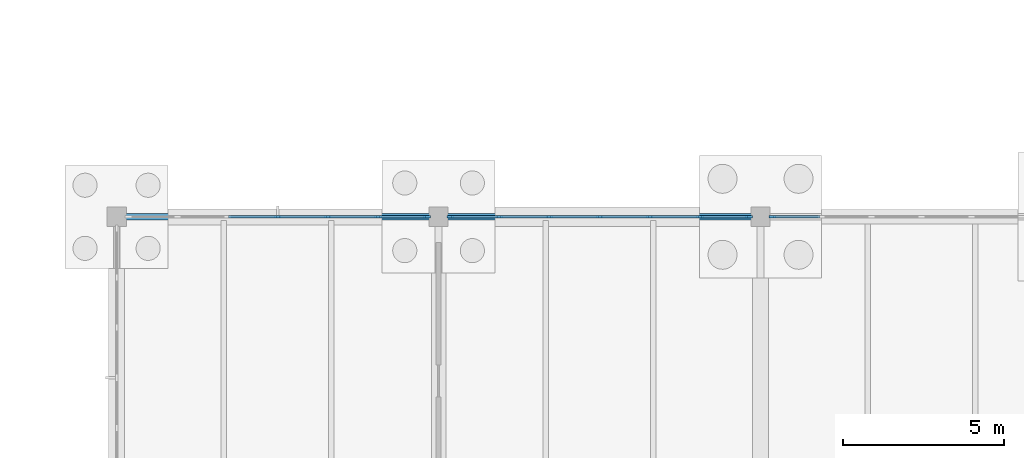
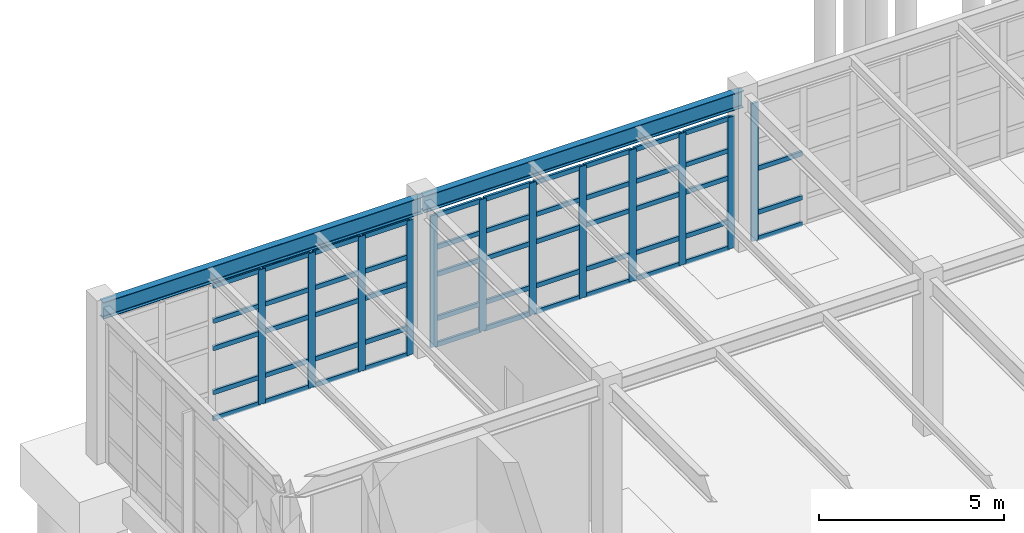
# One storey, part 48 of 145: 65 members, 2 beams, 3 elements without a shape of their own.
"""IFC4 building model written with IfcOpenShell, lengths in metres."""

from ifc_helpers import new_model, si_unit, direction, frame, origin, origin_2d, place, context, subcontext, project, spatial, rectangle, i_section, extrude, material, layer, layer_set, material_profile, profile_set, type_object, element, aggregate, save


model = new_model("IFC4")

# Units and contexts
model_context = context("Model", 3, precision=1e-05, world=origin(), true_north=direction((0.0, 1.0)))
body_context = subcontext(model_context, "Body", "Model", "MODEL_VIEW")
ifc_project = project(units=[si_unit("LENGTHUNIT", "METRE"), si_unit("AREAUNIT", "SQUARE_METRE"), si_unit("VOLUMEUNIT", "CUBIC_METRE"), si_unit("PLANEANGLEUNIT", "RADIAN"), si_unit("MASSUNIT", "GRAM", prefix="KILO"), si_unit("THERMODYNAMICTEMPERATUREUNIT", "KELVIN"), si_unit("POWERUNIT", "WATT")], contexts=[model_context])

# Site, building, storey
site_placement = place(None, origin())
site = spatial("IfcSite", under=ifc_project, at=site_placement, CompositionType="ELEMENT")
building_placement = place(site_placement, origin())
building = spatial("IfcBuilding", under=site, at=building_placement, Name="Korenveer Ferry Terminal", CompositionType="ELEMENT")
storey_placement = place(building_placement, origin())
storey = spatial("IfcBuildingStorey", under=building, at=storey_placement, Name="L00", CompositionType="ELEMENT", Elevation=0.0)

# Curtain wall, members
ifc_material_1 = material(Name="Unitised bronze-and-glass curtain wall", Category="glass")
ifc_layer_1 = layer(ifc_material_1, 0.219970703125)
ifc_layer_set_1 = layer_set([ifc_layer_1], Name="Unitised bronze-and-glass curtain wall")
curtain_wall_type_1 = type_object("IfcCurtainWallType", Name="ENV-CW-08", PredefinedType="USERDEFINED", material=ifc_layer_set_1)
curtain_wall_1_placement = place(storey_placement, frame((0.330078125, 80.0, 0.0)))
curtain_wall_1 = element("IfcCurtainWall", 1, at=curtain_wall_1_placement, inside=storey, type_object=curtain_wall_type_1, Name="Lancet curtain wall CWX-L00-X0-10-Y80-80", ObjectType="UNITISED CURTAIN WALL", PredefinedType="USERDEFINED")
ifc_material_2 = material(Name="Anodised bronze aluminium", Category="aluminium")
ifc_material_profile_1 = material_profile(ifc_material_2, rectangle(XDim=0.074951171875, YDim=0.219970703125, at=origin_2d()), Name="ALU 75x220")
ifc_profile_set_1 = profile_set([ifc_material_profile_1], Name="Anodised bronze aluminium")
member_type_1 = type_object("IfcMemberType", Name="ENV-CWM-75X220", PredefinedType="MULLION", material=ifc_profile_set_1)
member_1_placement = place(storey_placement, frame((5.0, 80.0, 0.0), z_axis=(0.0, 0.0, 1.0), x_axis=(0.0, 1.0, 0.0)))
member_1 = element("IfcMember", 2, at=member_1_placement, type_object=member_type_1, Name="CW-08 mullion 4", PredefinedType="MULLION", context=body_context, shape_type="SweptSolid", body=[
    extrude(rectangle(XDim=0.074951171875, YDim=0.219970703125, at=origin_2d()), origin(), (0.0, 0.0, 1.0), 4.43994140625),
])
member_2_placement = place(storey_placement, frame((6.556640625, 80.0, 0.0), z_axis=(0.0, 0.0, 1.0), x_axis=(0.0, 1.0, 0.0)))
member_2 = element("IfcMember", 3, at=member_2_placement, type_object=member_type_1, Name="CW-08 mullion 5", PredefinedType="MULLION", context=body_context, shape_type="SweptSolid", body=[
    extrude(rectangle(XDim=0.074951171875, YDim=0.219970703125, at=origin_2d()), origin(), (0.0, 0.0, 1.0), 4.43994140625),
])
member_3_placement = place(storey_placement, frame((8.11328125, 80.0, 0.0), z_axis=(0.0, 0.0, 1.0), x_axis=(0.0, 1.0, 0.0)))
member_3 = element("IfcMember", 4, at=member_3_placement, type_object=member_type_1, Name="CW-08 mullion 6", PredefinedType="MULLION", context=body_context, shape_type="SweptSolid", body=[
    extrude(rectangle(XDim=0.074951171875, YDim=0.219970703125, at=origin_2d()), origin(), (0.0, 0.0, 1.0), 4.43994140625),
])
member_4_placement = place(storey_placement, frame((9.632568359375, 80.0, 0.0), z_axis=(0.0, 0.0, 1.0), x_axis=(0.0, 1.0, 0.0)))
member_4 = element("IfcMember", 5, at=member_4_placement, type_object=member_type_1, Name="CW-08 mullion 7", PredefinedType="MULLION", context=body_context, shape_type="SweptSolid", body=[
    extrude(rectangle(XDim=0.074951171875, YDim=0.219970703125, at=origin_2d()), origin(), (0.0, 0.0, 1.0), 4.43994140625),
])

ifc_layer_2 = layer(ifc_material_1, 0.219970703125)
ifc_layer_set_2 = layer_set([ifc_layer_2], Name="Unitised bronze-and-glass curtain wall")
curtain_wall_type_2 = type_object("IfcCurtainWallType", Name="ENV-CW-09", PredefinedType="USERDEFINED", material=ifc_layer_set_2)
curtain_wall_2_placement = place(storey_placement, frame((10.330078125, 80.0, 0.0)))
curtain_wall_2 = element("IfcCurtainWall", 6, at=curtain_wall_2_placement, inside=storey, type_object=curtain_wall_type_2, Name="Lancet curtain wall CWX-L00-X10-20-Y80-80", ObjectType="UNITISED CURTAIN WALL", PredefinedType="USERDEFINED")
member_5_placement = place(storey_placement, frame((10.367431640625, 80.0, 0.0), z_axis=(0.0, 0.0, 1.0), x_axis=(0.0, 1.0, 0.0)))
member_5 = element("IfcMember", 7, at=member_5_placement, type_object=member_type_1, Name="CW-09 mullion 1", PredefinedType="MULLION", context=body_context, shape_type="SweptSolid", body=[
    extrude(rectangle(XDim=0.074951171875, YDim=0.219970703125, at=origin_2d()), origin(), (0.0, 0.0, 1.0), 4.340087890625),
])
member_6_placement = place(storey_placement, frame((11.88671875, 80.0, 0.0), z_axis=(0.0, 0.0, 1.0), x_axis=(0.0, 1.0, 0.0)))
member_6 = element("IfcMember", 8, at=member_6_placement, type_object=member_type_1, Name="CW-09 mullion 2", PredefinedType="MULLION", context=body_context, shape_type="SweptSolid", body=[
    extrude(rectangle(XDim=0.074951171875, YDim=0.219970703125, at=origin_2d()), origin(), (0.0, 0.0, 1.0), 4.340087890625),
])
member_7_placement = place(storey_placement, frame((13.443359375, 80.0, 0.0), z_axis=(0.0, 0.0, 1.0), x_axis=(0.0, 1.0, 0.0)))
member_7 = element("IfcMember", 9, at=member_7_placement, type_object=member_type_1, Name="CW-09 mullion 3", PredefinedType="MULLION", context=body_context, shape_type="SweptSolid", body=[
    extrude(rectangle(XDim=0.074951171875, YDim=0.219970703125, at=origin_2d()), origin(), (0.0, 0.0, 1.0), 4.340087890625),
])
member_8_placement = place(storey_placement, frame((15.0, 80.0, 0.0), z_axis=(0.0, 0.0, 1.0), x_axis=(0.0, 1.0, 0.0)))
member_8 = element("IfcMember", 10, at=member_8_placement, type_object=member_type_1, Name="CW-09 mullion 4", PredefinedType="MULLION", context=body_context, shape_type="SweptSolid", body=[
    extrude(rectangle(XDim=0.074951171875, YDim=0.219970703125, at=origin_2d()), origin(), (0.0, 0.0, 1.0), 4.340087890625),
])
member_9_placement = place(storey_placement, frame((16.556640625, 80.0, 0.0), z_axis=(0.0, 0.0, 1.0), x_axis=(0.0, 1.0, 0.0)))
member_9 = element("IfcMember", 11, at=member_9_placement, type_object=member_type_1, Name="CW-09 mullion 5", PredefinedType="MULLION", context=body_context, shape_type="SweptSolid", body=[
    extrude(rectangle(XDim=0.074951171875, YDim=0.219970703125, at=origin_2d()), origin(), (0.0, 0.0, 1.0), 4.340087890625),
])
member_10_placement = place(storey_placement, frame((18.11328125, 80.0, 0.0), z_axis=(0.0, 0.0, 1.0), x_axis=(0.0, 1.0, 0.0)))
member_10 = element("IfcMember", 12, at=member_10_placement, type_object=member_type_1, Name="CW-09 mullion 6", PredefinedType="MULLION", context=body_context, shape_type="SweptSolid", body=[
    extrude(rectangle(XDim=0.074951171875, YDim=0.219970703125, at=origin_2d()), origin(), (0.0, 0.0, 1.0), 4.340087890625),
])
member_11_placement = place(storey_placement, frame((19.632568359375, 80.0, 0.0), z_axis=(0.0, 0.0, 1.0), x_axis=(0.0, 1.0, 0.0)))
member_11 = element("IfcMember", 13, at=member_11_placement, type_object=member_type_1, Name="CW-09 mullion 7", PredefinedType="MULLION", context=body_context, shape_type="SweptSolid", body=[
    extrude(rectangle(XDim=0.074951171875, YDim=0.219970703125, at=origin_2d()), origin(), (0.0, 0.0, 1.0), 4.340087890625),
])

# Curtain wall, member
ifc_layer_3 = layer(ifc_material_1, 0.219970703125)
ifc_layer_set_3 = layer_set([ifc_layer_3], Name="Unitised bronze-and-glass curtain wall")
curtain_wall_type_3 = type_object("IfcCurtainWallType", Name="ENV-CW-10", PredefinedType="USERDEFINED", material=ifc_layer_set_3)
curtain_wall_3_placement = place(storey_placement, frame((20.330078125, 80.0, 0.0)))
curtain_wall_3 = element("IfcCurtainWall", 14, at=curtain_wall_3_placement, inside=storey, type_object=curtain_wall_type_3, Name="Lancet curtain wall CWX-L00-X20-30-Y80-80", ObjectType="UNITISED CURTAIN WALL", PredefinedType="USERDEFINED")
member_12_placement = place(storey_placement, frame((20.367431640625, 80.0, 0.0), z_axis=(0.0, 0.0, 1.0), x_axis=(0.0, 1.0, 0.0)))
member_12 = element("IfcMember", 15, at=member_12_placement, type_object=member_type_1, Name="CW-10 mullion 1", PredefinedType="MULLION", context=body_context, shape_type="SweptSolid", body=[
    extrude(rectangle(XDim=0.074951171875, YDim=0.219970703125, at=origin_2d()), origin(), (0.0, 0.0, 1.0), 4.5400390625),
])

# Member
ifc_material_profile_2 = material_profile(ifc_material_2, rectangle(XDim=0.074951171875, YDim=0.14990234375, at=origin_2d()), Name="ALU 75x150")
ifc_profile_set_2 = profile_set([ifc_material_profile_2], Name="Anodised bronze aluminium")
member_type_2 = type_object("IfcMemberType", Name="ENV-CWT-75X150", PredefinedType="USERDEFINED", material=ifc_profile_set_2)
member_13_placement = place(storey_placement, frame((3.480712890625, 80.0, 0.03759765625), z_axis=(1.0, 0.0, 0.0), x_axis=(0.0, 1.0, 0.0)))
member_13 = element("IfcMember", 16, at=member_13_placement, type_object=member_type_2, Name="CW-08 transom 3.1", ObjectType="TRANSOM", PredefinedType="USERDEFINED", context=body_context, shape_type="SweptSolid", body=[
    extrude(rectangle(XDim=0.074951171875, YDim=0.14990234375, at=origin_2d()), origin(), (0.0, 0.0, 1.0), 1.481689453125),
])

member_14_placement = place(storey_placement, frame((3.480712890625, 80.0, 0.89990234375), z_axis=(1.0, 0.0, 0.0), x_axis=(0.0, 1.0, 0.0)))
member_14 = element("IfcMember", 17, at=member_14_placement, type_object=member_type_2, Name="CW-08 transom 3.2", ObjectType="TRANSOM", PredefinedType="USERDEFINED", context=body_context, shape_type="SweptSolid", body=[
    extrude(rectangle(XDim=0.074951171875, YDim=0.14990234375, at=origin_2d()), origin(), (0.0, 0.0, 1.0), 1.481689453125),
])

member_15_placement = place(storey_placement, frame((3.480712890625, 80.0, 2.35009765625), z_axis=(1.0, 0.0, 0.0), x_axis=(0.0, 1.0, 0.0)))
member_15 = element("IfcMember", 18, at=member_15_placement, type_object=member_type_2, Name="CW-08 transom 3.3", ObjectType="TRANSOM", PredefinedType="USERDEFINED", context=body_context, shape_type="SweptSolid", body=[
    extrude(rectangle(XDim=0.074951171875, YDim=0.14990234375, at=origin_2d()), origin(), (0.0, 0.0, 1.0), 1.481689453125),
])

member_16_placement = place(storey_placement, frame((3.480712890625, 80.0, 3.25), z_axis=(1.0, 0.0, 0.0), x_axis=(0.0, 1.0, 0.0)))
member_16 = element("IfcMember", 19, at=member_16_placement, type_object=member_type_2, Name="CW-08 transom 3.4", ObjectType="TRANSOM", PredefinedType="USERDEFINED", context=body_context, shape_type="SweptSolid", body=[
    extrude(rectangle(XDim=0.074951171875, YDim=0.14990234375, at=origin_2d()), origin(), (0.0, 0.0, 1.0), 1.481689453125),
])

member_17_placement = place(storey_placement, frame((3.480712890625, 80.0, 4.402587890625), z_axis=(1.0, 0.0, 0.0), x_axis=(0.0, 1.0, 0.0)))
member_17 = element("IfcMember", 20, at=member_17_placement, type_object=member_type_2, Name="CW-08 transom 3.5", ObjectType="TRANSOM", PredefinedType="USERDEFINED", context=body_context, shape_type="SweptSolid", body=[
    extrude(rectangle(XDim=0.074951171875, YDim=0.14990234375, at=origin_2d()), origin(), (0.0, 0.0, 1.0), 1.481689453125),
])

member_18_placement = place(storey_placement, frame((5.03759765625, 80.0, 0.03759765625), z_axis=(1.0, 0.0, 0.0), x_axis=(0.0, 1.0, 0.0)))
member_18 = element("IfcMember", 21, at=member_18_placement, type_object=member_type_2, Name="CW-08 transom 4.1", ObjectType="TRANSOM", PredefinedType="USERDEFINED", context=body_context, shape_type="SweptSolid", body=[
    extrude(rectangle(XDim=0.074951171875, YDim=0.14990234375, at=origin_2d()), origin(), (0.0, 0.0, 1.0), 1.481689453125),
])

member_19_placement = place(storey_placement, frame((5.03759765625, 80.0, 0.89990234375), z_axis=(1.0, 0.0, 0.0), x_axis=(0.0, 1.0, 0.0)))
member_19 = element("IfcMember", 22, at=member_19_placement, type_object=member_type_2, Name="CW-08 transom 4.2", ObjectType="TRANSOM", PredefinedType="USERDEFINED", context=body_context, shape_type="SweptSolid", body=[
    extrude(rectangle(XDim=0.074951171875, YDim=0.14990234375, at=origin_2d()), origin(), (0.0, 0.0, 1.0), 1.481689453125),
])

member_20_placement = place(storey_placement, frame((5.03759765625, 80.0, 2.35009765625), z_axis=(1.0, 0.0, 0.0), x_axis=(0.0, 1.0, 0.0)))
member_20 = element("IfcMember", 23, at=member_20_placement, type_object=member_type_2, Name="CW-08 transom 4.3", ObjectType="TRANSOM", PredefinedType="USERDEFINED", context=body_context, shape_type="SweptSolid", body=[
    extrude(rectangle(XDim=0.074951171875, YDim=0.14990234375, at=origin_2d()), origin(), (0.0, 0.0, 1.0), 1.481689453125),
])

member_21_placement = place(storey_placement, frame((5.03759765625, 80.0, 3.25), z_axis=(1.0, 0.0, 0.0), x_axis=(0.0, 1.0, 0.0)))
member_21 = element("IfcMember", 24, at=member_21_placement, type_object=member_type_2, Name="CW-08 transom 4.4", ObjectType="TRANSOM", PredefinedType="USERDEFINED", context=body_context, shape_type="SweptSolid", body=[
    extrude(rectangle(XDim=0.074951171875, YDim=0.14990234375, at=origin_2d()), origin(), (0.0, 0.0, 1.0), 1.481689453125),
])

member_22_placement = place(storey_placement, frame((5.03759765625, 80.0, 4.402587890625), z_axis=(1.0, 0.0, 0.0), x_axis=(0.0, 1.0, 0.0)))
member_22 = element("IfcMember", 25, at=member_22_placement, type_object=member_type_2, Name="CW-08 transom 4.5", ObjectType="TRANSOM", PredefinedType="USERDEFINED", context=body_context, shape_type="SweptSolid", body=[
    extrude(rectangle(XDim=0.074951171875, YDim=0.14990234375, at=origin_2d()), origin(), (0.0, 0.0, 1.0), 1.481689453125),
])

member_23_placement = place(storey_placement, frame((6.59423828125, 80.0, 0.03759765625), z_axis=(1.0, 0.0, 0.0), x_axis=(0.0, 1.0, 0.0)))
member_23 = element("IfcMember", 26, at=member_23_placement, type_object=member_type_2, Name="CW-08 transom 5.1", ObjectType="TRANSOM", PredefinedType="USERDEFINED", context=body_context, shape_type="SweptSolid", body=[
    extrude(rectangle(XDim=0.074951171875, YDim=0.14990234375, at=origin_2d()), origin(), (0.0, 0.0, 1.0), 1.481689453125),
])

member_24_placement = place(storey_placement, frame((6.59423828125, 80.0, 0.89990234375), z_axis=(1.0, 0.0, 0.0), x_axis=(0.0, 1.0, 0.0)))
member_24 = element("IfcMember", 27, at=member_24_placement, type_object=member_type_2, Name="CW-08 transom 5.2", ObjectType="TRANSOM", PredefinedType="USERDEFINED", context=body_context, shape_type="SweptSolid", body=[
    extrude(rectangle(XDim=0.074951171875, YDim=0.14990234375, at=origin_2d()), origin(), (0.0, 0.0, 1.0), 1.481689453125),
])

member_25_placement = place(storey_placement, frame((6.59423828125, 80.0, 2.35009765625), z_axis=(1.0, 0.0, 0.0), x_axis=(0.0, 1.0, 0.0)))
member_25 = element("IfcMember", 28, at=member_25_placement, type_object=member_type_2, Name="CW-08 transom 5.3", ObjectType="TRANSOM", PredefinedType="USERDEFINED", context=body_context, shape_type="SweptSolid", body=[
    extrude(rectangle(XDim=0.074951171875, YDim=0.14990234375, at=origin_2d()), origin(), (0.0, 0.0, 1.0), 1.481689453125),
])

member_26_placement = place(storey_placement, frame((6.59423828125, 80.0, 3.25), z_axis=(1.0, 0.0, 0.0), x_axis=(0.0, 1.0, 0.0)))
member_26 = element("IfcMember", 29, at=member_26_placement, type_object=member_type_2, Name="CW-08 transom 5.4", ObjectType="TRANSOM", PredefinedType="USERDEFINED", context=body_context, shape_type="SweptSolid", body=[
    extrude(rectangle(XDim=0.074951171875, YDim=0.14990234375, at=origin_2d()), origin(), (0.0, 0.0, 1.0), 1.481689453125),
])

member_27_placement = place(storey_placement, frame((6.59423828125, 80.0, 4.402587890625), z_axis=(1.0, 0.0, 0.0), x_axis=(0.0, 1.0, 0.0)))
member_27 = element("IfcMember", 30, at=member_27_placement, type_object=member_type_2, Name="CW-08 transom 5.5", ObjectType="TRANSOM", PredefinedType="USERDEFINED", context=body_context, shape_type="SweptSolid", body=[
    extrude(rectangle(XDim=0.074951171875, YDim=0.14990234375, at=origin_2d()), origin(), (0.0, 0.0, 1.0), 1.481689453125),
])

member_28_placement = place(storey_placement, frame((8.15087890625, 80.0, 0.03759765625), z_axis=(1.0, 0.0, 0.0), x_axis=(0.0, 1.0, 0.0)))
member_28 = element("IfcMember", 31, at=member_28_placement, type_object=member_type_2, Name="CW-08 transom 6.1", ObjectType="TRANSOM", PredefinedType="USERDEFINED", context=body_context, shape_type="SweptSolid", body=[
    extrude(rectangle(XDim=0.074951171875, YDim=0.14990234375, at=origin_2d()), origin(), (0.0, 0.0, 1.0), 1.444091796875),
])

member_29_placement = place(storey_placement, frame((8.15087890625, 80.0, 0.89990234375), z_axis=(1.0, 0.0, 0.0), x_axis=(0.0, 1.0, 0.0)))
member_29 = element("IfcMember", 32, at=member_29_placement, type_object=member_type_2, Name="CW-08 transom 6.2", ObjectType="TRANSOM", PredefinedType="USERDEFINED", context=body_context, shape_type="SweptSolid", body=[
    extrude(rectangle(XDim=0.074951171875, YDim=0.14990234375, at=origin_2d()), origin(), (0.0, 0.0, 1.0), 1.444091796875),
])

member_30_placement = place(storey_placement, frame((8.15087890625, 80.0, 2.35009765625), z_axis=(1.0, 0.0, 0.0), x_axis=(0.0, 1.0, 0.0)))
member_30 = element("IfcMember", 33, at=member_30_placement, type_object=member_type_2, Name="CW-08 transom 6.3", ObjectType="TRANSOM", PredefinedType="USERDEFINED", context=body_context, shape_type="SweptSolid", body=[
    extrude(rectangle(XDim=0.074951171875, YDim=0.14990234375, at=origin_2d()), origin(), (0.0, 0.0, 1.0), 1.444091796875),
])

member_31_placement = place(storey_placement, frame((8.15087890625, 80.0, 3.25), z_axis=(1.0, 0.0, 0.0), x_axis=(0.0, 1.0, 0.0)))
member_31 = element("IfcMember", 34, at=member_31_placement, type_object=member_type_2, Name="CW-08 transom 6.4", ObjectType="TRANSOM", PredefinedType="USERDEFINED", context=body_context, shape_type="SweptSolid", body=[
    extrude(rectangle(XDim=0.074951171875, YDim=0.14990234375, at=origin_2d()), origin(), (0.0, 0.0, 1.0), 1.444091796875),
])

member_32_placement = place(storey_placement, frame((8.15087890625, 80.0, 4.402587890625), z_axis=(1.0, 0.0, 0.0), x_axis=(0.0, 1.0, 0.0)))
member_32 = element("IfcMember", 35, at=member_32_placement, type_object=member_type_2, Name="CW-08 transom 6.5", ObjectType="TRANSOM", PredefinedType="USERDEFINED", context=body_context, shape_type="SweptSolid", body=[
    extrude(rectangle(XDim=0.074951171875, YDim=0.14990234375, at=origin_2d()), origin(), (0.0, 0.0, 1.0), 1.444091796875),
])

aggregate(curtain_wall_1, [member_1, member_2, member_3, member_4, member_13, member_14, member_15, member_16, member_17, member_18, member_19, member_20, member_21, member_22, member_23, member_24, member_25, member_26, member_27, member_28, member_29, member_30, member_31, member_32])

member_33_placement = place(storey_placement, frame((10.405029296875, 80.0, 0.03759765625), z_axis=(1.0, 0.0, 0.0), x_axis=(0.0, 1.0, 0.0)))
member_33 = element("IfcMember", 36, at=member_33_placement, type_object=member_type_2, Name="CW-09 transom 1.1", ObjectType="TRANSOM", PredefinedType="USERDEFINED", context=body_context, shape_type="SweptSolid", body=[
    extrude(rectangle(XDim=0.074951171875, YDim=0.14990234375, at=origin_2d()), origin(), (0.0, 0.0, 1.0), 1.444091796875),
])

member_34_placement = place(storey_placement, frame((10.405029296875, 80.0, 0.89990234375), z_axis=(1.0, 0.0, 0.0), x_axis=(0.0, 1.0, 0.0)))
member_34 = element("IfcMember", 37, at=member_34_placement, type_object=member_type_2, Name="CW-09 transom 1.2", ObjectType="TRANSOM", PredefinedType="USERDEFINED", context=body_context, shape_type="SweptSolid", body=[
    extrude(rectangle(XDim=0.074951171875, YDim=0.14990234375, at=origin_2d()), origin(), (0.0, 0.0, 1.0), 1.444091796875),
])

member_35_placement = place(storey_placement, frame((10.405029296875, 80.0, 2.35009765625), z_axis=(1.0, 0.0, 0.0), x_axis=(0.0, 1.0, 0.0)))
member_35 = element("IfcMember", 38, at=member_35_placement, type_object=member_type_2, Name="CW-09 transom 1.3", ObjectType="TRANSOM", PredefinedType="USERDEFINED", context=body_context, shape_type="SweptSolid", body=[
    extrude(rectangle(XDim=0.074951171875, YDim=0.14990234375, at=origin_2d()), origin(), (0.0, 0.0, 1.0), 1.444091796875),
])

member_36_placement = place(storey_placement, frame((10.405029296875, 80.0, 3.25), z_axis=(1.0, 0.0, 0.0), x_axis=(0.0, 1.0, 0.0)))
member_36 = element("IfcMember", 39, at=member_36_placement, type_object=member_type_2, Name="CW-09 transom 1.4", ObjectType="TRANSOM", PredefinedType="USERDEFINED", context=body_context, shape_type="SweptSolid", body=[
    extrude(rectangle(XDim=0.074951171875, YDim=0.14990234375, at=origin_2d()), origin(), (0.0, 0.0, 1.0), 1.444091796875),
])

member_37_placement = place(storey_placement, frame((10.405029296875, 80.0, 4.302490234375), z_axis=(1.0, 0.0, 0.0), x_axis=(0.0, 1.0, 0.0)))
member_37 = element("IfcMember", 40, at=member_37_placement, type_object=member_type_2, Name="CW-09 transom 1.5", ObjectType="TRANSOM", PredefinedType="USERDEFINED", context=body_context, shape_type="SweptSolid", body=[
    extrude(rectangle(XDim=0.074951171875, YDim=0.14990234375, at=origin_2d()), origin(), (0.0, 0.0, 1.0), 1.444091796875),
])

member_38_placement = place(storey_placement, frame((11.924072265625, 80.0, 0.03759765625), z_axis=(1.0, 0.0, 0.0), x_axis=(0.0, 1.0, 0.0)))
member_38 = element("IfcMember", 41, at=member_38_placement, type_object=member_type_2, Name="CW-09 transom 2.1", ObjectType="TRANSOM", PredefinedType="USERDEFINED", context=body_context, shape_type="SweptSolid", body=[
    extrude(rectangle(XDim=0.074951171875, YDim=0.14990234375, at=origin_2d()), origin(), (0.0, 0.0, 1.0), 1.481689453125),
])

member_39_placement = place(storey_placement, frame((11.924072265625, 80.0, 0.89990234375), z_axis=(1.0, 0.0, 0.0), x_axis=(0.0, 1.0, 0.0)))
member_39 = element("IfcMember", 42, at=member_39_placement, type_object=member_type_2, Name="CW-09 transom 2.2", ObjectType="TRANSOM", PredefinedType="USERDEFINED", context=body_context, shape_type="SweptSolid", body=[
    extrude(rectangle(XDim=0.074951171875, YDim=0.14990234375, at=origin_2d()), origin(), (0.0, 0.0, 1.0), 1.481689453125),
])

member_40_placement = place(storey_placement, frame((11.924072265625, 80.0, 2.35009765625), z_axis=(1.0, 0.0, 0.0), x_axis=(0.0, 1.0, 0.0)))
member_40 = element("IfcMember", 43, at=member_40_placement, type_object=member_type_2, Name="CW-09 transom 2.3", ObjectType="TRANSOM", PredefinedType="USERDEFINED", context=body_context, shape_type="SweptSolid", body=[
    extrude(rectangle(XDim=0.074951171875, YDim=0.14990234375, at=origin_2d()), origin(), (0.0, 0.0, 1.0), 1.481689453125),
])

member_41_placement = place(storey_placement, frame((11.924072265625, 80.0, 3.25), z_axis=(1.0, 0.0, 0.0), x_axis=(0.0, 1.0, 0.0)))
member_41 = element("IfcMember", 44, at=member_41_placement, type_object=member_type_2, Name="CW-09 transom 2.4", ObjectType="TRANSOM", PredefinedType="USERDEFINED", context=body_context, shape_type="SweptSolid", body=[
    extrude(rectangle(XDim=0.074951171875, YDim=0.14990234375, at=origin_2d()), origin(), (0.0, 0.0, 1.0), 1.481689453125),
])

member_42_placement = place(storey_placement, frame((11.924072265625, 80.0, 4.302490234375), z_axis=(1.0, 0.0, 0.0), x_axis=(0.0, 1.0, 0.0)))
member_42 = element("IfcMember", 45, at=member_42_placement, type_object=member_type_2, Name="CW-09 transom 2.5", ObjectType="TRANSOM", PredefinedType="USERDEFINED", context=body_context, shape_type="SweptSolid", body=[
    extrude(rectangle(XDim=0.074951171875, YDim=0.14990234375, at=origin_2d()), origin(), (0.0, 0.0, 1.0), 1.481689453125),
])

member_43_placement = place(storey_placement, frame((13.480712890625, 80.0, 0.03759765625), z_axis=(1.0, 0.0, 0.0), x_axis=(0.0, 1.0, 0.0)))
member_43 = element("IfcMember", 46, at=member_43_placement, type_object=member_type_2, Name="CW-09 transom 3.1", ObjectType="TRANSOM", PredefinedType="USERDEFINED", context=body_context, shape_type="SweptSolid", body=[
    extrude(rectangle(XDim=0.074951171875, YDim=0.14990234375, at=origin_2d()), origin(), (0.0, 0.0, 1.0), 1.481689453125),
])

member_44_placement = place(storey_placement, frame((13.480712890625, 80.0, 0.89990234375), z_axis=(1.0, 0.0, 0.0), x_axis=(0.0, 1.0, 0.0)))
member_44 = element("IfcMember", 47, at=member_44_placement, type_object=member_type_2, Name="CW-09 transom 3.2", ObjectType="TRANSOM", PredefinedType="USERDEFINED", context=body_context, shape_type="SweptSolid", body=[
    extrude(rectangle(XDim=0.074951171875, YDim=0.14990234375, at=origin_2d()), origin(), (0.0, 0.0, 1.0), 1.481689453125),
])

member_45_placement = place(storey_placement, frame((13.480712890625, 80.0, 2.35009765625), z_axis=(1.0, 0.0, 0.0), x_axis=(0.0, 1.0, 0.0)))
member_45 = element("IfcMember", 48, at=member_45_placement, type_object=member_type_2, Name="CW-09 transom 3.3", ObjectType="TRANSOM", PredefinedType="USERDEFINED", context=body_context, shape_type="SweptSolid", body=[
    extrude(rectangle(XDim=0.074951171875, YDim=0.14990234375, at=origin_2d()), origin(), (0.0, 0.0, 1.0), 1.481689453125),
])

member_46_placement = place(storey_placement, frame((13.480712890625, 80.0, 3.25), z_axis=(1.0, 0.0, 0.0), x_axis=(0.0, 1.0, 0.0)))
member_46 = element("IfcMember", 49, at=member_46_placement, type_object=member_type_2, Name="CW-09 transom 3.4", ObjectType="TRANSOM", PredefinedType="USERDEFINED", context=body_context, shape_type="SweptSolid", body=[
    extrude(rectangle(XDim=0.074951171875, YDim=0.14990234375, at=origin_2d()), origin(), (0.0, 0.0, 1.0), 1.481689453125),
])

member_47_placement = place(storey_placement, frame((13.480712890625, 80.0, 4.302490234375), z_axis=(1.0, 0.0, 0.0), x_axis=(0.0, 1.0, 0.0)))
member_47 = element("IfcMember", 50, at=member_47_placement, type_object=member_type_2, Name="CW-09 transom 3.5", ObjectType="TRANSOM", PredefinedType="USERDEFINED", context=body_context, shape_type="SweptSolid", body=[
    extrude(rectangle(XDim=0.074951171875, YDim=0.14990234375, at=origin_2d()), origin(), (0.0, 0.0, 1.0), 1.481689453125),
])

member_48_placement = place(storey_placement, frame((15.03759765625, 80.0, 0.03759765625), z_axis=(1.0, 0.0, 0.0), x_axis=(0.0, 1.0, 0.0)))
member_48 = element("IfcMember", 51, at=member_48_placement, type_object=member_type_2, Name="CW-09 transom 4.1", ObjectType="TRANSOM", PredefinedType="USERDEFINED", context=body_context, shape_type="SweptSolid", body=[
    extrude(rectangle(XDim=0.074951171875, YDim=0.14990234375, at=origin_2d()), origin(), (0.0, 0.0, 1.0), 1.481689453125),
])

member_49_placement = place(storey_placement, frame((15.03759765625, 80.0, 0.89990234375), z_axis=(1.0, 0.0, 0.0), x_axis=(0.0, 1.0, 0.0)))
member_49 = element("IfcMember", 52, at=member_49_placement, type_object=member_type_2, Name="CW-09 transom 4.2", ObjectType="TRANSOM", PredefinedType="USERDEFINED", context=body_context, shape_type="SweptSolid", body=[
    extrude(rectangle(XDim=0.074951171875, YDim=0.14990234375, at=origin_2d()), origin(), (0.0, 0.0, 1.0), 1.481689453125),
])

member_50_placement = place(storey_placement, frame((15.03759765625, 80.0, 2.35009765625), z_axis=(1.0, 0.0, 0.0), x_axis=(0.0, 1.0, 0.0)))
member_50 = element("IfcMember", 53, at=member_50_placement, type_object=member_type_2, Name="CW-09 transom 4.3", ObjectType="TRANSOM", PredefinedType="USERDEFINED", context=body_context, shape_type="SweptSolid", body=[
    extrude(rectangle(XDim=0.074951171875, YDim=0.14990234375, at=origin_2d()), origin(), (0.0, 0.0, 1.0), 1.481689453125),
])

member_51_placement = place(storey_placement, frame((15.03759765625, 80.0, 3.25), z_axis=(1.0, 0.0, 0.0), x_axis=(0.0, 1.0, 0.0)))
member_51 = element("IfcMember", 54, at=member_51_placement, type_object=member_type_2, Name="CW-09 transom 4.4", ObjectType="TRANSOM", PredefinedType="USERDEFINED", context=body_context, shape_type="SweptSolid", body=[
    extrude(rectangle(XDim=0.074951171875, YDim=0.14990234375, at=origin_2d()), origin(), (0.0, 0.0, 1.0), 1.481689453125),
])

member_52_placement = place(storey_placement, frame((15.03759765625, 80.0, 4.302490234375), z_axis=(1.0, 0.0, 0.0), x_axis=(0.0, 1.0, 0.0)))
member_52 = element("IfcMember", 55, at=member_52_placement, type_object=member_type_2, Name="CW-09 transom 4.5", ObjectType="TRANSOM", PredefinedType="USERDEFINED", context=body_context, shape_type="SweptSolid", body=[
    extrude(rectangle(XDim=0.074951171875, YDim=0.14990234375, at=origin_2d()), origin(), (0.0, 0.0, 1.0), 1.481689453125),
])

member_53_placement = place(storey_placement, frame((16.59423828125, 80.0, 0.03759765625), z_axis=(1.0, 0.0, 0.0), x_axis=(0.0, 1.0, 0.0)))
member_53 = element("IfcMember", 56, at=member_53_placement, type_object=member_type_2, Name="CW-09 transom 5.1", ObjectType="TRANSOM", PredefinedType="USERDEFINED", context=body_context, shape_type="SweptSolid", body=[
    extrude(rectangle(XDim=0.074951171875, YDim=0.14990234375, at=origin_2d()), origin(), (0.0, 0.0, 1.0), 1.481689453125),
])

member_54_placement = place(storey_placement, frame((16.59423828125, 80.0, 0.89990234375), z_axis=(1.0, 0.0, 0.0), x_axis=(0.0, 1.0, 0.0)))
member_54 = element("IfcMember", 57, at=member_54_placement, type_object=member_type_2, Name="CW-09 transom 5.2", ObjectType="TRANSOM", PredefinedType="USERDEFINED", context=body_context, shape_type="SweptSolid", body=[
    extrude(rectangle(XDim=0.074951171875, YDim=0.14990234375, at=origin_2d()), origin(), (0.0, 0.0, 1.0), 1.481689453125),
])

member_55_placement = place(storey_placement, frame((16.59423828125, 80.0, 2.35009765625), z_axis=(1.0, 0.0, 0.0), x_axis=(0.0, 1.0, 0.0)))
member_55 = element("IfcMember", 58, at=member_55_placement, type_object=member_type_2, Name="CW-09 transom 5.3", ObjectType="TRANSOM", PredefinedType="USERDEFINED", context=body_context, shape_type="SweptSolid", body=[
    extrude(rectangle(XDim=0.074951171875, YDim=0.14990234375, at=origin_2d()), origin(), (0.0, 0.0, 1.0), 1.481689453125),
])

member_56_placement = place(storey_placement, frame((16.59423828125, 80.0, 3.25), z_axis=(1.0, 0.0, 0.0), x_axis=(0.0, 1.0, 0.0)))
member_56 = element("IfcMember", 59, at=member_56_placement, type_object=member_type_2, Name="CW-09 transom 5.4", ObjectType="TRANSOM", PredefinedType="USERDEFINED", context=body_context, shape_type="SweptSolid", body=[
    extrude(rectangle(XDim=0.074951171875, YDim=0.14990234375, at=origin_2d()), origin(), (0.0, 0.0, 1.0), 1.481689453125),
])

member_57_placement = place(storey_placement, frame((16.59423828125, 80.0, 4.302490234375), z_axis=(1.0, 0.0, 0.0), x_axis=(0.0, 1.0, 0.0)))
member_57 = element("IfcMember", 60, at=member_57_placement, type_object=member_type_2, Name="CW-09 transom 5.5", ObjectType="TRANSOM", PredefinedType="USERDEFINED", context=body_context, shape_type="SweptSolid", body=[
    extrude(rectangle(XDim=0.074951171875, YDim=0.14990234375, at=origin_2d()), origin(), (0.0, 0.0, 1.0), 1.481689453125),
])

member_58_placement = place(storey_placement, frame((18.15087890625, 80.0, 0.03759765625), z_axis=(1.0, 0.0, 0.0), x_axis=(0.0, 1.0, 0.0)))
member_58 = element("IfcMember", 61, at=member_58_placement, type_object=member_type_2, Name="CW-09 transom 6.1", ObjectType="TRANSOM", PredefinedType="USERDEFINED", context=body_context, shape_type="SweptSolid", body=[
    extrude(rectangle(XDim=0.074951171875, YDim=0.14990234375, at=origin_2d()), origin(), (0.0, 0.0, 1.0), 1.444091796875),
])

member_59_placement = place(storey_placement, frame((18.15087890625, 80.0, 0.89990234375), z_axis=(1.0, 0.0, 0.0), x_axis=(0.0, 1.0, 0.0)))
member_59 = element("IfcMember", 62, at=member_59_placement, type_object=member_type_2, Name="CW-09 transom 6.2", ObjectType="TRANSOM", PredefinedType="USERDEFINED", context=body_context, shape_type="SweptSolid", body=[
    extrude(rectangle(XDim=0.074951171875, YDim=0.14990234375, at=origin_2d()), origin(), (0.0, 0.0, 1.0), 1.444091796875),
])

member_60_placement = place(storey_placement, frame((18.15087890625, 80.0, 2.35009765625), z_axis=(1.0, 0.0, 0.0), x_axis=(0.0, 1.0, 0.0)))
member_60 = element("IfcMember", 63, at=member_60_placement, type_object=member_type_2, Name="CW-09 transom 6.3", ObjectType="TRANSOM", PredefinedType="USERDEFINED", context=body_context, shape_type="SweptSolid", body=[
    extrude(rectangle(XDim=0.074951171875, YDim=0.14990234375, at=origin_2d()), origin(), (0.0, 0.0, 1.0), 1.444091796875),
])

member_61_placement = place(storey_placement, frame((18.15087890625, 80.0, 3.25), z_axis=(1.0, 0.0, 0.0), x_axis=(0.0, 1.0, 0.0)))
member_61 = element("IfcMember", 64, at=member_61_placement, type_object=member_type_2, Name="CW-09 transom 6.4", ObjectType="TRANSOM", PredefinedType="USERDEFINED", context=body_context, shape_type="SweptSolid", body=[
    extrude(rectangle(XDim=0.074951171875, YDim=0.14990234375, at=origin_2d()), origin(), (0.0, 0.0, 1.0), 1.444091796875),
])

member_62_placement = place(storey_placement, frame((18.15087890625, 80.0, 4.302490234375), z_axis=(1.0, 0.0, 0.0), x_axis=(0.0, 1.0, 0.0)))
member_62 = element("IfcMember", 65, at=member_62_placement, type_object=member_type_2, Name="CW-09 transom 6.5", ObjectType="TRANSOM", PredefinedType="USERDEFINED", context=body_context, shape_type="SweptSolid", body=[
    extrude(rectangle(XDim=0.074951171875, YDim=0.14990234375, at=origin_2d()), origin(), (0.0, 0.0, 1.0), 1.444091796875),
])

aggregate(curtain_wall_2, [member_5, member_6, member_7, member_8, member_9, member_10, member_11, member_33, member_34, member_35, member_36, member_37, member_38, member_39, member_40, member_41, member_42, member_43, member_44, member_45, member_46, member_47, member_48, member_49, member_50, member_51, member_52, member_53, member_54, member_55, member_56, member_57, member_58, member_59, member_60, member_61, member_62])

member_63_placement = place(storey_placement, frame((20.405029296875, 80.0, 0.03759765625), z_axis=(1.0, 0.0, 0.0), x_axis=(0.0, 1.0, 0.0)))
member_63 = element("IfcMember", 66, at=member_63_placement, type_object=member_type_2, Name="CW-10 transom 1.1", ObjectType="TRANSOM", PredefinedType="USERDEFINED", context=body_context, shape_type="SweptSolid", body=[
    extrude(rectangle(XDim=0.074951171875, YDim=0.14990234375, at=origin_2d()), origin(), (0.0, 0.0, 1.0), 1.444091796875),
])

member_64_placement = place(storey_placement, frame((20.405029296875, 80.0, 0.89990234375), z_axis=(1.0, 0.0, 0.0), x_axis=(0.0, 1.0, 0.0)))
member_64 = element("IfcMember", 67, at=member_64_placement, type_object=member_type_2, Name="CW-10 transom 1.2", ObjectType="TRANSOM", PredefinedType="USERDEFINED", context=body_context, shape_type="SweptSolid", body=[
    extrude(rectangle(XDim=0.074951171875, YDim=0.14990234375, at=origin_2d()), origin(), (0.0, 0.0, 1.0), 1.444091796875),
])

member_65_placement = place(storey_placement, frame((20.405029296875, 80.0, 2.35009765625), z_axis=(1.0, 0.0, 0.0), x_axis=(0.0, 1.0, 0.0)))
member_65 = element("IfcMember", 68, at=member_65_placement, type_object=member_type_2, Name="CW-10 transom 1.3", ObjectType="TRANSOM", PredefinedType="USERDEFINED", context=body_context, shape_type="SweptSolid", body=[
    extrude(rectangle(XDim=0.074951171875, YDim=0.14990234375, at=origin_2d()), origin(), (0.0, 0.0, 1.0), 1.444091796875),
])

aggregate(curtain_wall_3, [member_12, member_63, member_64, member_65])

# Beams
ifc_material_3 = material(Name="Steel S355", Category="steel")
ifc_material_profile_3 = material_profile(ifc_material_3, i_section(OverallWidth=0.2099609375, OverallDepth=0.550048828125, WebThickness=0.010986328125, FlangeThickness=0.01708984375, FilletRadius=0.02392578125, at=origin_2d()), Name="IPE 550")
ifc_profile_set_3 = profile_set([ifc_material_profile_3], Name="Steel S355")
beam_type = type_object("IfcBeamType", Name="STR-BM-IPE550", PredefinedType="BEAM", material=ifc_profile_set_3)
for number, where, z_axis, x_axis, name in (
    (69, (0.02001953125, 80.0, 4.844970703125), (1.0, 0.0, 0.0), (0.0, 1.0, 0.0), "Primary X girder BMX-L01-X0-10-Y80"),
    (70, (10.02001953125, 80.0, 4.844970703125), (1.0, 0.0, 0.0), (0.0, 1.0, 0.0), "Primary X girder BMX-L01-X10-20-Y80"),
):
    element("IfcBeam", number, at=place(storey_placement, frame(where, z_axis=z_axis, x_axis=x_axis)), inside=storey, type_object=beam_type, Name=name, PredefinedType="BEAM", context=body_context, shape_type="SweptSolid", body=[
        extrude(i_section(OverallWidth=0.2099609375, OverallDepth=0.550048828125, WebThickness=0.010986328125, FlangeThickness=0.01708984375, FilletRadius=0.02392578125, at=origin_2d()), origin(), (0.0, 0.0, 1.0), 9.9599609375),
    ])

save(model, "model.ifc")
